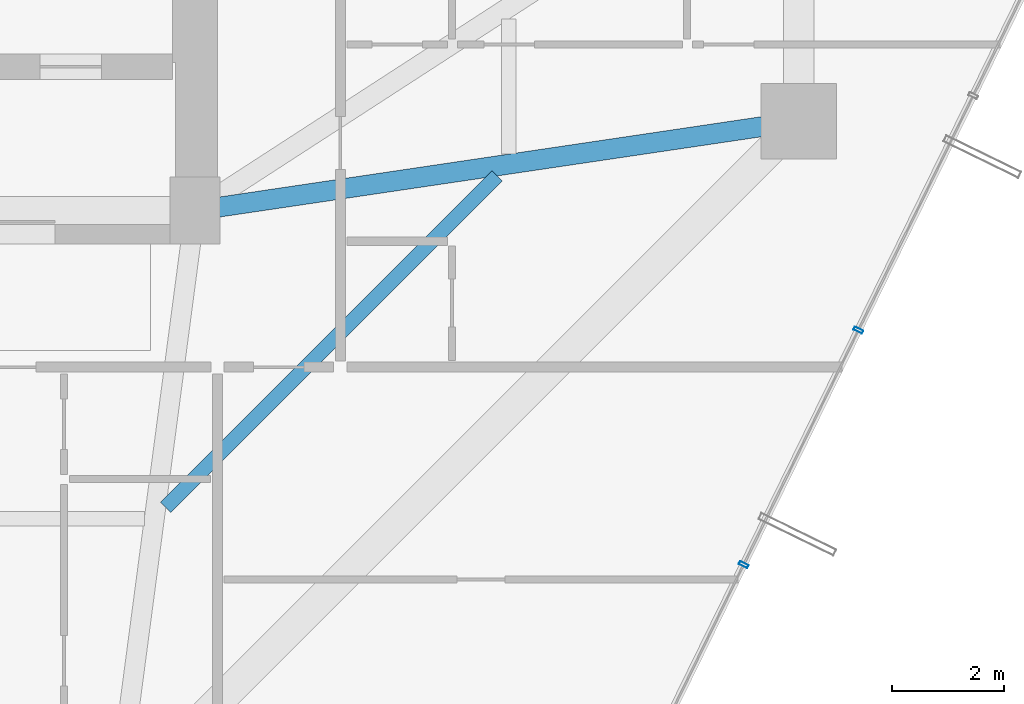
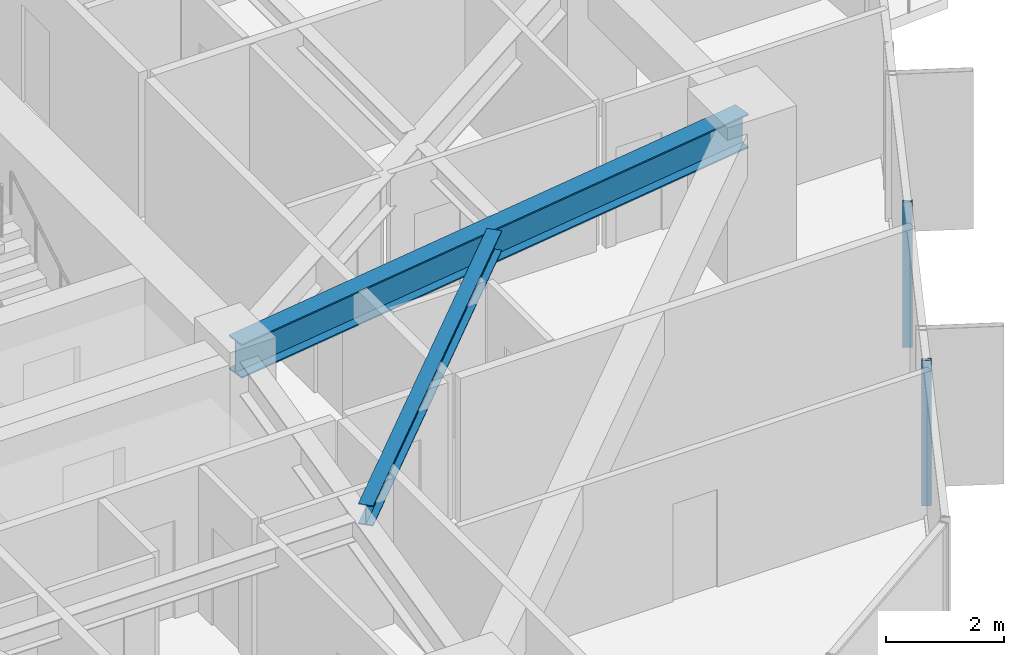
# One storey, part 16 of 37: 2 beams, 2 members, 1 element without a shape of its own.
"""IFC4 building model written with IfcOpenShell, lengths in metres."""

from ifc_helpers import new_model, si_unit, direction, frame, origin, origin_2d, place, context, subcontext, project, spatial, hollow_rectangle, i_section, extrude, source, transform, mapped, material, layer, layer_set, material_profile, profile_set, type_object, element, aggregate, save


model = new_model("IFC4")

# Units and contexts
model_context = context("Model", 3, precision=1e-05, world=origin(), true_north=direction((0.0, 1.0)))
body_context = subcontext(model_context, "Body", "Model", "MODEL_VIEW")
ifc_project = project(units=[si_unit("LENGTHUNIT", "METRE"), si_unit("AREAUNIT", "SQUARE_METRE"), si_unit("VOLUMEUNIT", "CUBIC_METRE"), si_unit("PLANEANGLEUNIT", "RADIAN"), si_unit("MASSUNIT", "GRAM", prefix="KILO")], contexts=[model_context])

# Site, building, storey
site_placement = place(None, origin())
site = spatial("IfcSite", under=ifc_project, at=site_placement, CompositionType="ELEMENT")
building_placement = place(site_placement, origin())
building = spatial("IfcBuilding", under=site, at=building_placement, Name="Veraguas Prism Commons", CompositionType="ELEMENT")
storey_placement = place(building_placement, frame((0.0, 0.0, 37.050048828125)))
storey = spatial("IfcBuildingStorey", under=building, at=storey_placement, Name="L09", CompositionType="ELEMENT", Elevation=37.050048828125)

# Beams
ifc_material_1 = material(Name="Steel ASTM A992 Grade 50", Category="steel")
ifc_material_profile_1 = material_profile(ifc_material_1, i_section(OverallWidth=0.260986328125, OverallDepth=0.419921875, WebThickness=0.01171875, FlangeThickness=0.019287109375, at=origin_2d()), Name="W410X114")
ifc_profile_set_1 = profile_set([ifc_material_profile_1], Name="Steel ASTM A992 Grade 50")
beam_type_1 = type_object("IfcBeamType", Name="Lower Floor Joist W410x114", PredefinedType="JOIST", material=ifc_profile_set_1)
beam_1_placement = place(storey_placement, frame((30.276611328125, 11.6923828125, 2.7900390625), z_axis=(0.707092226423, 0.70712133565, 0.0), x_axis=(-0.70712133565, 0.707092226423, 0.0)))
element("IfcBeam", 1, at=beam_1_placement, inside=storey, type_object=beam_type_1, Name="Composite Floor Joist L09-JS12", PredefinedType="JOIST", context=body_context, shape_type="SweptSolid", body=[
    extrude(i_section(OverallWidth=0.260986328125, OverallDepth=0.419921875, WebThickness=0.01171875, FlangeThickness=0.019287109375, at=origin_2d()), origin(), (0.0, 0.0, 1.0), 8.386962890625),
])
ifc_material_profile_2 = material_profile(ifc_material_1, i_section(OverallWidth=0.35595703125, OverallDepth=0.700927734375, WebThickness=0.016845703125, FlangeThickness=0.02734375, at=origin_2d()), Name="W690X240")
ifc_profile_set_2 = profile_set([ifc_material_profile_2], Name="Steel ASTM A992 Grade 50")
beam_type_2 = type_object("IfcBeamType", Name="Zone 1 Radial Girder W690x240", PredefinedType="BEAM", material=ifc_profile_set_2)
beam_2_placement = place(storey_placement, frame((41.60009765625, 18.60009765625, 2.6494140625), z_axis=(-0.989202261707, -0.146556765224, 0.0), x_axis=(0.146556765224, -0.989202261707, 0.0)))
element("IfcBeam", 2, at=beam_2_placement, inside=storey, type_object=beam_type_2, Name="Radial Floor Girder L09-RD01", PredefinedType="BEAM", context=body_context, shape_type="SweptSolid", body=[
    extrude(i_section(OverallWidth=0.35595703125, OverallDepth=0.700927734375, WebThickness=0.016845703125, FlangeThickness=0.02734375, at=origin_2d()), origin(), (0.0, 0.0, 1.0), 10.91796875),
])

# Curtain wall, members
ifc_material_2 = material(Name="Anodised aluminium EN AW-6063 T6", Category="aluminium")
ifc_layer = layer(ifc_material_2, 0.169921875, Name="Unitised Flush Curtain Wall Zone 1", Category="aluminium")
ifc_layer_set = layer_set([ifc_layer], Name="Anodised aluminium EN AW-6063 T6")
curtain_wall_type = type_object("IfcCurtainWallType", Name="Unitised Flush Curtain Wall Zone 1", PredefinedType="NOTDEFINED", material=ifc_layer_set)
curtain_wall_placement = place(storey_placement, origin())
curtain_wall = element("IfcCurtainWall", 3, at=curtain_wall_placement, inside=storey, type_object=curtain_wall_type, Name="Tower Facade Curtain Wall L09-F6", PredefinedType="NOTDEFINED")
ifc_material_profile_3 = material_profile(ifc_material_2, hollow_rectangle(XDim=0.06005859375, YDim=0.169921875, WallThickness=0.00390625, at=origin_2d()), Name="AL60X170X4")
ifc_profile_set_3 = profile_set([ifc_material_profile_3], Name="Anodised aluminium EN AW-6063 T6")
member_type = type_object("IfcMemberType", Name="Curtain Wall Mullion Lower AL 60x170x4", PredefinedType="MULLION", material=ifc_profile_set_3)
shared_shape = source(origin(), body_context, "Body", "SweptSolid", [
    extrude(hollow_rectangle(XDim=0.06005859375, YDim=0.169921875, WallThickness=0.00390625, at=origin_2d()), origin(), (0.0, 0.0, 1.0), 3.0),
])
member_1_placement = place(storey_placement, frame((40.614990234375, 10.667236328125, 0.0), z_axis=(0.0, 0.0, 1.0), x_axis=(0.4396256723, 0.898181088787, 0.0)))
member_1 = element("IfcMember", 4, at=member_1_placement, type_object=member_type, Name="CW-Z1 Mullion 2", PredefinedType="MULLION", context=body_context, shape_type="MappedRepresentation", body=[
    mapped(shared_shape, transform((0.0, 0.0, 0.0), scale=1.0)),
])
member_2_placement = place(storey_placement, frame((42.66845703125, 14.862548828125, 0.0), z_axis=(0.0, 0.0, 1.0), x_axis=(0.4396256723, 0.898181088787, 0.0)))
member_2 = element("IfcMember", 5, at=member_2_placement, type_object=member_type, Name="CW-Z1 Mullion 3", PredefinedType="MULLION", context=body_context, shape_type="MappedRepresentation", body=[
    mapped(shared_shape, transform((0.0, 0.0, 0.0), scale=1.0)),
])
aggregate(curtain_wall, [member_1, member_2])

save(model, "model.ifc")
